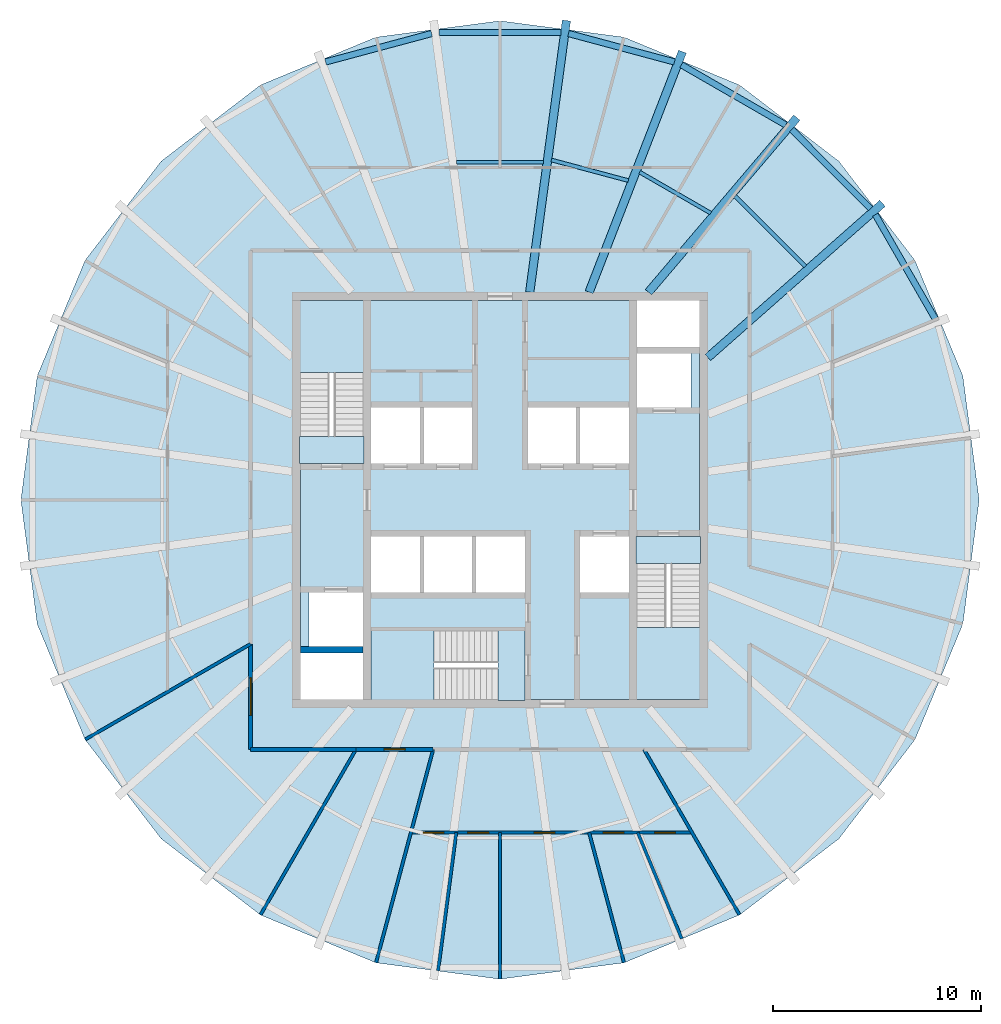
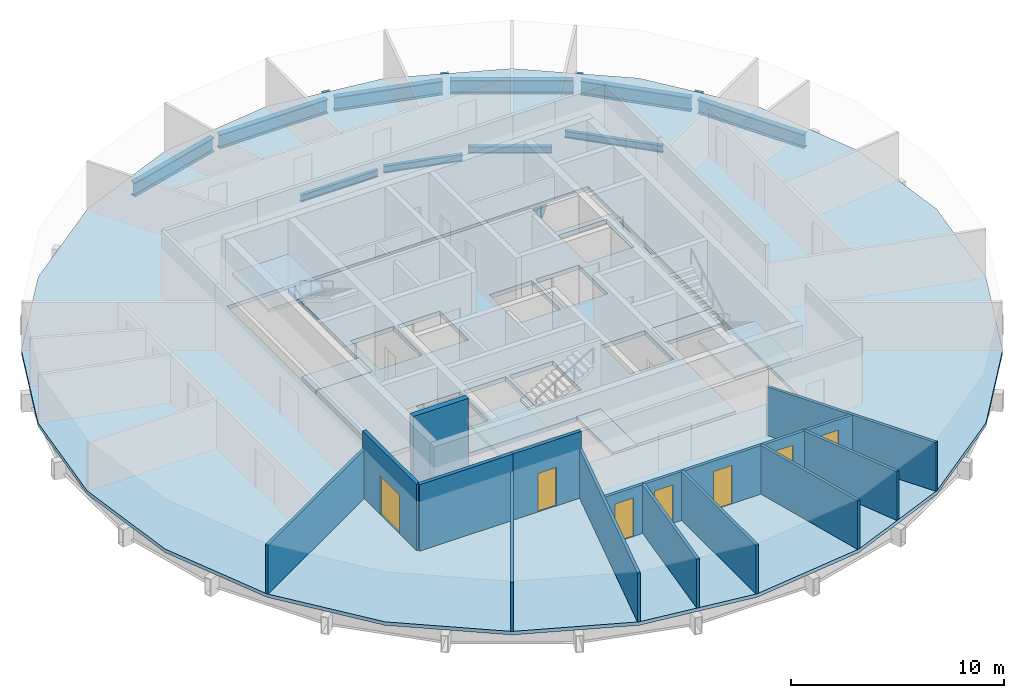
# One storey, part 2 of 6: 14 beams, 13 walls, 8 slabs, 7 doors, 7 openings, 3 elements without a shape of their own.
"""IFC4 building model written with IfcOpenShell, lengths in metres."""

from ifc_helpers import new_model, si_unit, direction, frame, frame_2d, origin, origin_2d, place, context, subcontext, project, spatial, polyline, rectangle, hollow_rectangle, i_section, outline, extrude, material, layer, layer_set, material_profile, profile_set, type_object, element, fill, aggregate, save


model = new_model("IFC4")

# Units and contexts
model_context = context("Model", 3, precision=1e-05, world=origin(), true_north=direction((0.0, 1.0)))
body_context = subcontext(model_context, "Body", "Model", "MODEL_VIEW")
ifc_project = project(units=[si_unit("LENGTHUNIT", "METRE"), si_unit("AREAUNIT", "SQUARE_METRE"), si_unit("VOLUMEUNIT", "CUBIC_METRE"), si_unit("PLANEANGLEUNIT", "RADIAN"), si_unit("MASSUNIT", "GRAM", prefix="KILO")], contexts=[model_context])

# Site, building, storey
site_placement = place(None, origin())
site = spatial("IfcSite", under=ifc_project, at=site_placement, CompositionType="ELEMENT")
building_placement = place(site_placement, origin())
building = spatial("IfcBuilding", under=site, at=building_placement, Name="Golbaran Civic Tower", CompositionType="ELEMENT")
storey_placement = place(building_placement, frame((0.0, 0.0, 224.0)))
storey = spatial("IfcBuildingStorey", under=building, at=storey_placement, Name="L54", CompositionType="ELEMENT", Elevation=224.0)

# Beams
ifc_material_1 = material(Name="Steel S355", Category="steel")
ifc_material_profile_1 = material_profile(ifc_material_1, i_section(OverallWidth=0.300048828125, OverallDepth=0.800048828125, WebThickness=0.017578125, FlangeThickness=0.032958984375, FilletRadius=0.030029296875, at=origin_2d()), Name="HEB 800")
ifc_profile_set_1 = profile_set([ifc_material_profile_1], Name="Steel S355")
beam_type_1 = type_object("IfcBeamType", Name="EDGE BEAM HEB 800", PredefinedType="BEAM", material=ifc_profile_set_1)
beam_1_placement = place(storey_placement, frame((20.94287109375, 8.7109375, -0.60009765625), z_axis=(-0.498739777228, 0.866751772199, 0.0), x_axis=(-0.866751772199, -0.498739777228, 0.0)))
element("IfcBeam", 1, at=beam_1_placement, inside=storey, type_object=beam_type_1, Name="Edge beam 22.12 L54", PredefinedType="BEAM", context=body_context, shape_type="SweptSolid", body=[
    extrude(i_section(OverallWidth=0.300048828125, OverallDepth=0.800048828125, WebThickness=0.017578125, FlangeThickness=0.032958984375, FilletRadius=0.030029296875, at=origin_2d()), origin(), (0.0, 0.0, 1.0), 5.78759765625),
])
beam_2_placement = place(storey_placement, frame((17.837158203125, 14.01416015625, -0.60009765625), z_axis=(-0.706789377825, 0.707424042137, 0.0), x_axis=(-0.707424042137, -0.706789377825, 0.0)))
element("IfcBeam", 2, at=beam_2_placement, inside=storey, type_object=beam_type_1, Name="Edge beam 37.88 L54", PredefinedType="BEAM", context=body_context, shape_type="SweptSolid", body=[
    extrude(i_section(OverallWidth=0.300048828125, OverallDepth=0.800048828125, WebThickness=0.017578125, FlangeThickness=0.032958984375, FilletRadius=0.030029296875, at=origin_2d()), origin(), (0.0, 0.0, 1.0), 5.385498046875),
])
beam_3_placement = place(storey_placement, frame((13.74462890625, 18.043212890625, -0.60009765625), z_axis=(-0.866375593254, 0.499392962919, 0.0), x_axis=(-0.499392962919, -0.866375593254, 0.0)))
element("IfcBeam", 3, at=beam_3_placement, inside=storey, type_object=beam_type_1, Name="Edge beam 52.12 L54", PredefinedType="BEAM", context=body_context, shape_type="SweptSolid", body=[
    extrude(i_section(OverallWidth=0.300048828125, OverallDepth=0.800048828125, WebThickness=0.017578125, FlangeThickness=0.032958984375, FilletRadius=0.030029296875, at=origin_2d()), origin(), (0.0, 0.0, 1.0), 5.795166015625),
])
beam_4_placement = place(storey_placement, frame((8.391357421875, 21.0751953125, -0.60009765625), z_axis=(-0.96580302518, 0.259276910954, 0.0), x_axis=(-0.259276910954, -0.96580302518, 0.0)))
element("IfcBeam", 4, at=beam_4_placement, inside=storey, type_object=beam_type_1, Name="Edge beam 67.88 L54", PredefinedType="BEAM", context=body_context, shape_type="SweptSolid", body=[
    extrude(i_section(OverallWidth=0.300048828125, OverallDepth=0.800048828125, WebThickness=0.017578125, FlangeThickness=0.032958984375, FilletRadius=0.030029296875, at=origin_2d()), origin(), (0.0, 0.0, 1.0), 5.27978515625),
])
beam_5_placement = place(storey_placement, frame((2.935302734375, 22.4912109375, -0.60009765625), z_axis=(-1.0, 0.0, 0.0), x_axis=(0.0, -1.0, 0.0)))
element("IfcBeam", 5, at=beam_5_placement, inside=storey, type_object=beam_type_1, Name="Edge beam 82.12 L54", PredefinedType="BEAM", context=body_context, shape_type="SweptSolid", body=[
    extrude(i_section(OverallWidth=0.300048828125, OverallDepth=0.800048828125, WebThickness=0.017578125, FlangeThickness=0.032958984375, FilletRadius=0.030029296875, at=origin_2d()), origin(), (0.0, 0.0, 1.0), 5.87060546875),
])
beam_6_placement = place(storey_placement, frame((-3.292236328125, 22.444091796875, -0.60009765625), z_axis=(-0.96580302518, -0.259276910954, 0.0), x_axis=(0.259276910954, -0.96580302518, 0.0)))
element("IfcBeam", 6, at=beam_6_placement, inside=storey, type_object=beam_type_1, Name="Edge beam 97.88 L54", PredefinedType="BEAM", context=body_context, shape_type="SweptSolid", body=[
    extrude(i_section(OverallWidth=0.300048828125, OverallDepth=0.800048828125, WebThickness=0.017578125, FlangeThickness=0.032958984375, FilletRadius=0.030029296875, at=origin_2d()), origin(), (0.0, 0.0, 1.0), 5.27978515625),
])
ifc_material_profile_2 = material_profile(ifc_material_1, i_section(OverallWidth=0.179931640625, OverallDepth=0.39990234375, WebThickness=0.008544921875, FlangeThickness=0.013427734375, FilletRadius=0.02099609375, at=origin_2d()), Name="IPE 400")
ifc_profile_set_2 = profile_set([ifc_material_profile_2], Name="Steel S355")
beam_type_2 = type_object("IfcBeamType", Name="FLOOR INFILL BEAM IPE 400", PredefinedType="BEAM", material=ifc_profile_set_2)
beam_7_placement = place(storey_placement, frame((14.68994140625, 11.236572265625, -0.39990234375), z_axis=(-0.707106781187, 0.707106781187, 0.0), x_axis=(-0.707106781187, -0.707106781187, 0.0)))
element("IfcBeam", 7, at=beam_7_placement, inside=storey, type_object=beam_type_2, Name="Infill beam 45.00 L54", PredefinedType="BEAM", context=body_context, shape_type="SweptSolid", body=[
    extrude(i_section(OverallWidth=0.179931640625, OverallDepth=0.39990234375, WebThickness=0.008544921875, FlangeThickness=0.013427734375, FilletRadius=0.02099609375, at=origin_2d()), origin(), (0.0, 0.0, 1.0), 4.78466796875),
])
beam_8_placement = place(storey_placement, frame((10.138427734375, 13.801513671875, -0.39990234375), z_axis=(-0.866038289882, 0.49997767996, 0.0), x_axis=(-0.49997767996, -0.866038289882, 0.0)))
element("IfcBeam", 8, at=beam_8_placement, inside=storey, type_object=beam_type_2, Name="Infill beam 60.00 L54", PredefinedType="BEAM", context=body_context, shape_type="SweptSolid", body=[
    extrude(i_section(OverallWidth=0.179931640625, OverallDepth=0.39990234375, WebThickness=0.008544921875, FlangeThickness=0.013427734375, FilletRadius=0.02099609375, at=origin_2d()), origin(), (0.0, 0.0, 1.0), 3.947021484375),
])
beam_9_placement = place(storey_placement, frame((6.175537109375, 15.36669921875, -0.39990234375), z_axis=(-0.965929020608, 0.258807123448, 0.0), x_axis=(-0.258807123448, -0.965929020608, 0.0)))
element("IfcBeam", 9, at=beam_9_placement, inside=storey, type_object=beam_type_2, Name="Infill beam 75.00 L54", PredefinedType="BEAM", context=body_context, shape_type="SweptSolid", body=[
    extrude(i_section(OverallWidth=0.179931640625, OverallDepth=0.39990234375, WebThickness=0.008544921875, FlangeThickness=0.013427734375, FilletRadius=0.02099609375, at=origin_2d()), origin(), (0.0, 0.0, 1.0), 3.83642578125),
])
beam_10_placement = place(storey_placement, frame((2.091064453125, 16.24560546875, -0.39990234375), z_axis=(-1.0, 0.0, 0.0), x_axis=(0.0, -1.0, 0.0)))
element("IfcBeam", 10, at=beam_10_placement, inside=storey, type_object=beam_type_2, Name="Infill beam 90.00 L54", PredefinedType="BEAM", context=body_context, shape_type="SweptSolid", body=[
    extrude(i_section(OverallWidth=0.179931640625, OverallDepth=0.39990234375, WebThickness=0.008544921875, FlangeThickness=0.013427734375, FilletRadius=0.02099609375, at=origin_2d()), origin(), (0.0, 0.0, 1.0), 4.18212890625),
])
ifc_material_profile_3 = material_profile(ifc_material_1, hollow_rectangle(XDim=0.39990234375, YDim=1.0, WallThickness=0.050048828125, at=origin_2d()), Name="BOX 1000x400x50")
ifc_profile_set_3 = profile_set([ifc_material_profile_3], Name="Steel S355")
beam_type_3 = type_object("IfcBeamType", Name="RADIAL FLOOR BEAM BOX 1000x400x50", PredefinedType="BEAM", material=ifc_profile_set_3)
beam_11_placement = place(storey_placement, frame((10.0, 6.857177734375, -0.7099609375), z_axis=(0.749759023355, 0.661710969304, 0.0), x_axis=(-0.661710969304, 0.749759023355, 0.0)))
element("IfcBeam", 11, at=beam_11_placement, inside=storey, type_object=beam_type_3, Name="Radial beam 37.88 L54", PredefinedType="BEAM", context=body_context, shape_type="SweptSolid", body=[
    extrude(hollow_rectangle(XDim=0.39990234375, YDim=1.0, WallThickness=0.050048828125, at=origin_2d()), origin(), (0.0, 0.0, 1.0), 11.207763671875),
])
beam_12_placement = place(storey_placement, frame((7.142822265625, 10.0, -0.7099609375), z_axis=(0.647723009562, 0.761875910423, 0.0), x_axis=(-0.761875910423, 0.647723009562, 0.0)))
element("IfcBeam", 12, at=beam_12_placement, inside=storey, type_object=beam_type_3, Name="Radial beam 52.12 L54", PredefinedType="BEAM", context=body_context, shape_type="SweptSolid", body=[
    extrude(hollow_rectangle(XDim=0.39990234375, YDim=1.0, WallThickness=0.050048828125, at=origin_2d()), origin(), (0.0, 0.0, 1.0), 11.020751953125),
])
beam_13_placement = place(storey_placement, frame((4.28564453125, 10.0, -0.7099609375), z_axis=(0.361841543131, 0.932239613868, 0.0), x_axis=(-0.932239613868, 0.361841543131, 0.0)))
element("IfcBeam", 13, at=beam_13_placement, inside=storey, type_object=beam_type_3, Name="Radial beam 67.88 L54", PredefinedType="BEAM", context=body_context, shape_type="SweptSolid", body=[
    extrude(hollow_rectangle(XDim=0.39990234375, YDim=1.0, WallThickness=0.050048828125, at=origin_2d()), origin(), (0.0, 0.0, 1.0), 12.412109375),
])
beam_14_placement = place(storey_placement, frame((1.428466796875, 10.0, -0.7099609375), z_axis=(0.133954752894, 0.990987449051, 0.0), x_axis=(-0.990987449051, 0.133954752894, 0.0)))
element("IfcBeam", 14, at=beam_14_placement, inside=storey, type_object=beam_type_3, Name="Radial beam 82.12 L54", PredefinedType="BEAM", context=body_context, shape_type="SweptSolid", body=[
    extrude(hollow_rectangle(XDim=0.39990234375, YDim=1.0, WallThickness=0.050048828125, at=origin_2d()), origin(), (0.0, 0.0, 1.0), 13.186279296875),
])

# Slabs
ifc_material_2 = material(Name="Concrete LC30/33 lightweight on steel deck", Category="concrete")
ifc_layer_1 = layer(ifc_material_2, 0.199951171875, Name="Concrete LC30/33 lightweight on steel deck")
ifc_layer_set_1 = layer_set([ifc_layer_1], Name="Concrete LC30/33 lightweight on steel deck")
slab_type_1 = type_object("IfcSlabType", Name="COMPOSITE FLOOR SLAB 200", PredefinedType="FLOOR", material=ifc_layer_set_1)
slab_1_placement = place(storey_placement, frame((0.0, 0.0, -0.199951171875)))
element("IfcSlab", 15, at=slab_1_placement, inside=storey, type_object=slab_type_1, Name="Floor slab L54", PredefinedType="FLOOR", context=body_context, shape_type="SweptSolid", body=[
    extrude(outline(polyline([(19.96484375, -11.526611328125), (16.30126953125, -16.30126953125), (11.526611328125, -19.96484375), (5.966552734375, -22.267822265625), (0.0, -23.05322265625), (-5.966552734375, -22.267822265625), (-11.526611328125, -19.96484375), (-16.30126953125, -16.30126953125), (-19.96484375, -11.526611328125), (-22.267822265625, -5.966552734375), (-23.05322265625, 0.0), (-22.267822265625, 5.966552734375), (-19.96484375, 11.526611328125), (-16.30126953125, 16.30126953125), (-11.526611328125, 19.96484375), (-5.966552734375, 22.267822265625), (0.0, 23.05322265625), (5.966552734375, 22.267822265625), (11.526611328125, 19.96484375), (16.30126953125, 16.30126953125), (19.96484375, 11.526611328125), (22.267822265625, 5.966552734375), (23.05322265625, 0.0), (22.267822265625, -5.966552734375), (19.96484375, -11.526611328125)]), holes=[polyline([(-9.800048828125, 9.800048828125), (-9.800048828125, -9.800048828125), (9.800048828125, -9.800048828125), (9.800048828125, 9.800048828125), (-9.800048828125, 9.800048828125)])]), origin(), (0.0, 0.0, 1.0), 0.199951171875),
])
ifc_material_3 = material(Name="Concrete C35/45", Category="concrete")
ifc_layer_2 = layer(ifc_material_3, 0.25, Name="Concrete C35/45")
ifc_layer_set_2 = layer_set([ifc_layer_2], Name="Concrete C35/45")
slab_type_2 = type_object("IfcSlabType", Name="CORE FLOOR SLAB 250", PredefinedType="FLOOR", material=ifc_layer_set_2)
slab_2_placement = place(storey_placement, frame((0.0, 0.0, -0.25)))
element("IfcSlab", 16, at=slab_2_placement, inside=storey, type_object=slab_type_2, Name="Core floor slab L54", PredefinedType="FLOOR", context=body_context, shape_type="SweptSolid", body=[
    extrude(outline(polyline([(6.60009765625, -1.75), (6.60009765625, -9.60009765625), (1.199951171875, -9.60009765625), (1.199951171875, -6.300048828125), (-6.199951171875, -6.300048828125), (-6.199951171875, -9.60009765625), (-6.60009765625, -9.60009765625), (-6.60009765625, -7.35009765625), (-9.60009765625, -7.35009765625), (-9.60009765625, 1.75), (-6.60009765625, 1.75), (-6.60009765625, 9.60009765625), (6.60009765625, 9.60009765625), (6.60009765625, 7.35009765625), (9.60009765625, 7.35009765625), (9.60009765625, -1.75), (6.60009765625, -1.75)]), holes=[polyline([(9.199951171875, 7.050048828125), (6.60009765625, 7.050048828125), (6.60009765625, 4.449951171875), (9.199951171875, 4.449951171875), (9.199951171875, 7.050048828125)]), polyline([(6.199951171875, -1.75), (3.85009765625, -1.75), (3.85009765625, -4.449951171875), (6.199951171875, -4.449951171875), (6.199951171875, -1.75)]), polyline([(6.199951171875, 4.449951171875), (3.85009765625, 4.449951171875), (3.85009765625, 1.75), (6.199951171875, 1.75), (6.199951171875, 4.449951171875)]), polyline([(3.64990234375, 4.449951171875), (1.35009765625, 4.449951171875), (1.35009765625, 1.75), (3.64990234375, 1.75), (3.64990234375, 4.449951171875)]), polyline([(1.199951171875, -1.75), (-1.14990234375, -1.75), (-1.14990234375, -4.449951171875), (1.199951171875, -4.449951171875), (1.199951171875, -1.75)]), polyline([(-1.35009765625, 4.449951171875), (-3.64990234375, 4.449951171875), (-3.64990234375, 1.75), (-1.35009765625, 1.75), (-1.35009765625, 4.449951171875)]), polyline([(-1.35009765625, -1.75), (-3.64990234375, -1.75), (-3.64990234375, -4.449951171875), (-1.35009765625, -4.449951171875), (-1.35009765625, -1.75)]), polyline([(-3.85009765625, -1.75), (-6.199951171875, -1.75), (-6.199951171875, -4.449951171875), (-3.85009765625, -4.449951171875), (-3.85009765625, -1.75)]), polyline([(-3.85009765625, 4.449951171875), (-6.199951171875, 4.449951171875), (-6.199951171875, 1.75), (-3.85009765625, 1.75), (-3.85009765625, 4.449951171875)]), polyline([(-6.60009765625, -4.449951171875), (-9.199951171875, -4.449951171875), (-9.199951171875, -7.050048828125), (-6.60009765625, -7.050048828125), (-6.60009765625, -4.449951171875)])]), origin(), (0.0, 0.0, 1.0), 0.25),
])

# Stair, slab
stair_type_1 = type_object("IfcStairType", Name="EXIT STAIR 3000 x 7850, 4000 RISE", PredefinedType="HALF_TURN_STAIR", material=ifc_material_3)
stair_1_placement = place(storey_placement, origin())
stair_1 = element("IfcStair", 17, at=stair_1_placement, inside=storey, type_object=stair_type_1, Name="Stair S1 L54", PredefinedType="HALF_TURN_STAIR")
ifc_layer_3 = layer(ifc_material_3, 0.199951171875, Name="Concrete C35/45")
ifc_layer_set_3 = layer_set([ifc_layer_3], Name="Concrete C35/45")
slab_type_3 = type_object("IfcSlabType", Name="STAIR LANDING 200", PredefinedType="LANDING", material=ifc_layer_set_3)
slab_3_placement = place(storey_placement, frame((0.0, 0.0, 1.800048828125)))
slab_3 = element("IfcSlab", 18, at=slab_3_placement, type_object=slab_type_3, Name="ST30078-40 landing 1", PredefinedType="LANDING", context=body_context, shape_type="SweptSolid", body=[
    extrude(outline(polyline([(-9.64990234375, 6.125), (-9.64990234375, 9.60009765625), (-6.550048828125, 9.60009765625), (-6.550048828125, 6.125), (-9.64990234375, 6.125)])), origin(), (0.0, 0.0, 1.0), 0.199951171875),
])
aggregate(stair_1, [slab_3])

# Slab
slab_4_placement = place(storey_placement, frame((0.0, 0.0, -0.199951171875)))
element("IfcSlab", 19, at=slab_4_placement, inside=storey, type_object=slab_type_3, Name="Stair S1 floor landing L54", PredefinedType="LANDING", context=body_context, shape_type="SweptSolid", body=[
    extrude(outline(polyline([(-9.64990234375, 1.75), (-9.64990234375, 3.054931640625), (-6.550048828125, 3.054931640625), (-6.550048828125, 1.75), (-9.64990234375, 1.75)])), origin(), (0.0, 0.0, 1.0), 0.199951171875),
])

# Stair, slab
stair_2_placement = place(storey_placement, origin())
stair_2 = element("IfcStair", 20, at=stair_2_placement, inside=storey, type_object=stair_type_1, Name="Stair S2 L54", PredefinedType="HALF_TURN_STAIR")
slab_5_placement = place(storey_placement, frame((0.0, 0.0, 1.800048828125)))
slab_5 = element("IfcSlab", 21, at=slab_5_placement, type_object=slab_type_3, Name="ST30078-40 landing 1", PredefinedType="LANDING", context=body_context, shape_type="SweptSolid", body=[
    extrude(outline(polyline([(9.64990234375, -6.125), (9.64990234375, -9.60009765625), (6.550048828125, -9.60009765625), (6.550048828125, -6.125), (9.64990234375, -6.125)])), origin(), (0.0, 0.0, 1.0), 0.199951171875),
])
aggregate(stair_2, [slab_5])

# Slab
slab_6_placement = place(storey_placement, frame((0.0, 0.0, -0.199951171875)))
element("IfcSlab", 22, at=slab_6_placement, inside=storey, type_object=slab_type_3, Name="Stair S2 floor landing L54", PredefinedType="LANDING", context=body_context, shape_type="SweptSolid", body=[
    extrude(outline(polyline([(9.64990234375, -1.75), (9.64990234375, -3.054931640625), (6.550048828125, -3.054931640625), (6.550048828125, -1.75), (9.64990234375, -1.75)])), origin(), (0.0, 0.0, 1.0), 0.199951171875),
])

# Stair, slab
stair_type_2 = type_object("IfcStairType", Name="EXIT STAIR 3300 x 7400, 4000 RISE", PredefinedType="HALF_TURN_STAIR", material=ifc_material_3)
stair_3_placement = place(storey_placement, origin())
stair_3 = element("IfcStair", 23, at=stair_3_placement, inside=storey, type_object=stair_type_2, Name="Stair S3 L54", PredefinedType="HALF_TURN_STAIR")
slab_7_placement = place(storey_placement, frame((0.0, 0.0, 1.800048828125)))
slab_7 = element("IfcSlab", 24, at=slab_7_placement, type_object=slab_type_3, Name="ST33074-40 landing 1", PredefinedType="LANDING", context=body_context, shape_type="SweptSolid", body=[
    extrude(outline(polyline([(-3.175048828125, -9.64990234375), (-6.199951171875, -9.64990234375), (-6.199951171875, -6.25), (-3.175048828125, -6.25), (-3.175048828125, -9.64990234375)])), origin(), (0.0, 0.0, 1.0), 0.199951171875),
])
aggregate(stair_3, [slab_7])

# Slab
slab_8_placement = place(storey_placement, frame((0.0, 0.0, -0.199951171875)))
element("IfcSlab", 25, at=slab_8_placement, inside=storey, type_object=slab_type_3, Name="Stair S3 floor landing L54", PredefinedType="LANDING", context=body_context, shape_type="SweptSolid", body=[
    extrude(outline(polyline([(1.199951171875, -9.64990234375), (-0.10498046875, -9.64990234375), (-0.10498046875, -6.25), (1.199951171875, -6.25), (1.199951171875, -9.64990234375)])), origin(), (0.0, 0.0, 1.0), 0.199951171875),
])

# Wall, opening, door
ifc_material_4 = material(Name="Gypsum board on steel studs, fire-rated", Category="steel")
ifc_layer_4 = layer(ifc_material_4, 0.199951171875, Name="Gypsum board on steel studs, fire-rated")
ifc_layer_set_4 = layer_set([ifc_layer_4], Name="Gypsum board on steel studs, fire-rated")
wall_type_1 = type_object("IfcWallType", Name="CORRIDOR WALL 200", PredefinedType="PARTITIONING", material=ifc_layer_set_4)
wall_1_placement = place(storey_placement, frame((-12.0, -6.92822265625, 0.0), z_axis=(0.0, 0.0, 1.0), x_axis=(0.0, -1.0, 0.0)))
wall_1 = element("IfcWall", 26, at=wall_1_placement, inside=storey, type_object=wall_type_1, Name="Corridor wall L54", PredefinedType="PARTITIONING", context=body_context, shape_type="SweptSolid", body=[
    extrude(rectangle(XDim=5.07177734375, YDim=0.199951171875, at=frame_2d((2.535888671875, 0.0))), origin(), (0.0, 0.0, 1.0), 3.800048828125),
])
opening_1_placement = place(wall_1_placement, frame((1.635986328125, 0.0, 0.0)))
opening_1 = element("IfcOpeningElement", 27, at=opening_1_placement, cuts=wall_1, Name="Opening L54.23", PredefinedType="OPENING", context=body_context, shape_type="SweptSolid", body=[
    extrude(rectangle(XDim=1.800048828125, YDim=2.199951171875, at=frame_2d((0.89990234375, 1.10009765625))), frame((0.0, 0.10986328125, 0.0), z_axis=(0.0, -1.0, 0.0), x_axis=(1.0, 0.0, 0.0)), (0.0, 0.0, 1.0), 0.219970703125),
])
ifc_material_5 = material(Name="Timber door set in steel frame", Category="steel")
door_type_1 = type_object("IfcDoorType", Name="OFFICE DOUBLE DOOR 1800x2200", OperationType="DOUBLE_DOOR_SINGLE_SWING", PredefinedType="DOOR", material=ifc_material_5)
door_1_placement = place(opening_1_placement, origin())
door_1 = element("IfcDoor", 28, at=door_1_placement, inside=storey, type_object=door_type_1, Name="Open Office door L54", OperationType="DOUBLE_DOOR_SINGLE_SWING", OverallHeight=2.199951171875, OverallWidth=1.800048828125, PredefinedType="DOOR", context=body_context, shape_type="SweptSolid", body=[
    extrude(rectangle(XDim=1.800048828125, YDim=2.199951171875, at=frame_2d((0.89990234375, 1.10009765625))), frame((0.0, 0.02490234375, 0.0), z_axis=(0.0, -1.0, 0.0), x_axis=(1.0, 0.0, 0.0)), (0.0, 0.0, 1.0), 0.050048828125),
])
fill(opening_1, door_1)

# Wall
wall_2_placement = place(storey_placement, frame((-12.0, -12.0, 0.0), z_axis=(0.0, 0.0, 1.0), x_axis=(1.0, 0.0, 0.0)))
element("IfcWall", 29, at=wall_2_placement, inside=storey, type_object=wall_type_1, Name="Corridor wall L54", PredefinedType="PARTITIONING", context=body_context, shape_type="SweptSolid", body=[
    extrude(rectangle(XDim=5.07177734375, YDim=0.199951171875, at=frame_2d((2.535888671875, 0.0))), origin(), (0.0, 0.0, 1.0), 3.800048828125),
])

# Wall, opening, door
wall_3_placement = place(storey_placement, frame((-6.92822265625, -12.0, 0.0), z_axis=(0.0, 0.0, 1.0), x_axis=(1.0, 0.0, 0.0)))
wall_3 = element("IfcWall", 30, at=wall_3_placement, inside=storey, type_object=wall_type_1, Name="Corridor wall L54", PredefinedType="PARTITIONING", context=body_context, shape_type="SweptSolid", body=[
    extrude(rectangle(XDim=3.712890625, YDim=0.199951171875, at=frame_2d((1.8564453125, 0.0))), origin(), (0.0, 0.0, 1.0), 3.800048828125),
])
opening_2_placement = place(wall_3_placement, frame((1.3564453125, 0.0, 0.0)))
opening_2 = element("IfcOpeningElement", 31, at=opening_2_placement, cuts=wall_3, Name="Opening L54.24", PredefinedType="OPENING", context=body_context, shape_type="SweptSolid", body=[
    extrude(rectangle(XDim=1.0, YDim=2.199951171875, at=frame_2d((0.5, 1.10009765625))), frame((0.0, 0.10986328125, 0.0), z_axis=(0.0, -1.0, 0.0), x_axis=(1.0, 0.0, 0.0)), (0.0, 0.0, 1.0), 0.219970703125),
])
door_type_2 = type_object("IfcDoorType", Name="OFFICE DOOR 1000x2200", OperationType="SINGLE_SWING_LEFT", PredefinedType="DOOR", material=ifc_material_5)
door_2_placement = place(opening_2_placement, origin())
door_2 = element("IfcDoor", 32, at=door_2_placement, inside=storey, type_object=door_type_2, Name="Meeting Room door L54", OperationType="SINGLE_SWING_LEFT", OverallHeight=2.199951171875, OverallWidth=1.0, PredefinedType="DOOR", context=body_context, shape_type="SweptSolid", body=[
    extrude(rectangle(XDim=1.0, YDim=2.199951171875, at=frame_2d((0.5, 1.10009765625))), frame((0.0, 0.02490234375, 0.0), z_axis=(0.0, -1.0, 0.0), x_axis=(1.0, 0.0, 0.0)), (0.0, 0.0, 1.0), 0.050048828125),
])
fill(opening_2, door_2)

# Walls
ifc_material_6 = material(Name="Gypsum board on steel studs", Category="steel")
ifc_layer_5 = layer(ifc_material_6, 0.14990234375, Name="Gypsum board on steel studs")
ifc_layer_set_5 = layer_set([ifc_layer_5], Name="Gypsum board on steel studs")
wall_type_2 = type_object("IfcWallType", Name="OFFICE PARTITION 150", PredefinedType="PARTITIONING", material=ifc_layer_set_5)
for number, where, z_axis, x_axis, name in (
    (33, (-12.0, -6.92822265625, 0.0), (0.0, 0.0, 1.0), (-0.866021843099, -0.500006167237, 0.0), "Partition 210 L54"),
    (34, (-6.92822265625, -12.0, 0.0), (0.0, 0.0, 1.0), (-0.500006167237, -0.866021843099, 0.0), "Partition 240 L54"),
):
    element("IfcWall", number, at=place(storey_placement, frame(where, z_axis=z_axis, x_axis=x_axis)), inside=storey, type_object=wall_type_2, Name=name, PredefinedType="PARTITIONING", context=body_context, shape_type="SweptSolid", body=[
        extrude(rectangle(XDim=9.18701171875, YDim=0.14990234375, at=frame_2d((4.593505859375, 0.0))), origin(), (0.0, 0.0, 1.0), 2.7900390625),
    ])
wall_4_placement = place(storey_placement, frame((-3.21533203125, -12.0, 0.0), z_axis=(0.0, 0.0, 1.0), x_axis=(-0.258831459304, -0.965922499828, 0.0)))
element("IfcWall", 35, at=wall_4_placement, inside=storey, type_object=wall_type_2, Name="Partition 255 L54", PredefinedType="PARTITIONING", context=body_context, shape_type="SweptSolid", body=[
    extrude(rectangle(XDim=10.619873046875, YDim=0.14990234375, at=frame_2d((5.31005859375, 0.0))), origin(), (0.0, 0.0, 1.0), 2.7900390625),
])
wall_5_placement = place(storey_placement, frame((6.92822265625, -12.0, 0.0), z_axis=(0.0, 0.0, 1.0), x_axis=(0.500006167237, -0.866021843099, 0.0)))
element("IfcWall", 36, at=wall_5_placement, inside=storey, type_object=wall_type_2, Name="Partition 300 L54", PredefinedType="PARTITIONING", context=body_context, shape_type="SweptSolid", body=[
    extrude(rectangle(XDim=9.18701171875, YDim=0.14990234375, at=frame_2d((4.593505859375, 0.0))), origin(), (0.0, 0.0, 1.0), 2.7900390625),
])

# Wall, openings, doors
wall_6_placement = place(storey_placement, frame((-4.287109375, -16.0, 0.0), z_axis=(0.0, 0.0, 1.0), x_axis=(1.0, 0.0, 0.0)))
wall_6 = element("IfcWall", 37, at=wall_6_placement, inside=storey, type_object=wall_type_2, Name="Suite partition L54", PredefinedType="PARTITIONING", context=body_context, shape_type="SweptSolid", body=[
    extrude(rectangle(XDim=13.524658203125, YDim=0.14990234375, at=frame_2d((6.76220703125, 0.0))), origin(), (0.0, 0.0, 1.0), 2.7900390625),
])
opening_3_placement = place(wall_6_placement, frame((0.59033203125, 0.0, 0.0)))
opening_3 = element("IfcOpeningElement", 38, at=opening_3_placement, cuts=wall_6, Name="Opening L54.12", PredefinedType="OPENING", context=body_context, shape_type="SweptSolid", body=[
    extrude(rectangle(XDim=1.0, YDim=2.199951171875, at=frame_2d((0.5, 1.10009765625))), frame((0.0, 0.0849609375, 0.0), z_axis=(0.0, -1.0, 0.0), x_axis=(1.0, 0.0, 0.0)), (0.0, 0.0, 1.0), 0.169921875),
])
opening_4_placement = place(wall_6_placement, frame((2.73388671875, 0.0, 0.0)))
opening_4 = element("IfcOpeningElement", 39, at=opening_4_placement, cuts=wall_6, Name="Opening L54.13", PredefinedType="OPENING", context=body_context, shape_type="SweptSolid", body=[
    extrude(rectangle(XDim=1.0, YDim=2.199951171875, at=frame_2d((0.5, 1.10009765625))), frame((0.0, 0.0849609375, 0.0), z_axis=(0.0, -1.0, 0.0), x_axis=(1.0, 0.0, 0.0)), (0.0, 0.0, 1.0), 0.169921875),
])
opening_5_placement = place(wall_6_placement, frame((5.9306640625, 0.0, 0.0)))
opening_5 = element("IfcOpeningElement", 40, at=opening_5_placement, cuts=wall_6, Name="Opening L54.14", PredefinedType="OPENING", context=body_context, shape_type="SweptSolid", body=[
    extrude(rectangle(XDim=1.0, YDim=2.199951171875, at=frame_2d((0.5, 1.10009765625))), frame((0.0, 0.0849609375, 0.0), z_axis=(0.0, -1.0, 0.0), x_axis=(1.0, 0.0, 0.0)), (0.0, 0.0, 1.0), 0.169921875),
])
opening_6_placement = place(wall_6_placement, frame((9.244384765625, 0.0, 0.0)))
opening_6 = element("IfcOpeningElement", 41, at=opening_6_placement, cuts=wall_6, Name="Opening L54.15", PredefinedType="OPENING", context=body_context, shape_type="SweptSolid", body=[
    extrude(rectangle(XDim=1.0, YDim=2.199951171875, at=frame_2d((0.5, 1.10009765625))), frame((0.0, 0.0849609375, 0.0), z_axis=(0.0, -1.0, 0.0), x_axis=(1.0, 0.0, 0.0)), (0.0, 0.0, 1.0), 0.169921875),
])
opening_7_placement = place(wall_6_placement, frame((11.7197265625, 0.0, 0.0)))
opening_7 = element("IfcOpeningElement", 42, at=opening_7_placement, cuts=wall_6, Name="Opening L54.16", PredefinedType="OPENING", context=body_context, shape_type="SweptSolid", body=[
    extrude(rectangle(XDim=1.0, YDim=2.199951171875, at=frame_2d((0.5, 1.10009765625))), frame((0.0, 0.0849609375, 0.0), z_axis=(0.0, -1.0, 0.0), x_axis=(1.0, 0.0, 0.0)), (0.0, 0.0, 1.0), 0.169921875),
])
door_3_placement = place(opening_3_placement, origin())
door_3 = element("IfcDoor", 43, at=door_3_placement, inside=storey, type_object=door_type_2, Name="Assistants' Office door L54", OperationType="SINGLE_SWING_LEFT", OverallHeight=2.199951171875, OverallWidth=1.0, PredefinedType="DOOR", context=body_context, shape_type="SweptSolid", body=[
    extrude(rectangle(XDim=1.0, YDim=2.199951171875, at=frame_2d((0.5, 1.10009765625))), frame((0.0, 0.02490234375, 0.0), z_axis=(0.0, -1.0, 0.0), x_axis=(1.0, 0.0, 0.0)), (0.0, 0.0, 1.0), 0.050048828125),
])
fill(opening_3, door_3)
door_4_placement = place(opening_4_placement, origin())
door_4 = element("IfcDoor", 44, at=door_4_placement, inside=storey, type_object=door_type_2, Name="Office door L54", OperationType="SINGLE_SWING_LEFT", OverallHeight=2.199951171875, OverallWidth=1.0, PredefinedType="DOOR", context=body_context, shape_type="SweptSolid", body=[
    extrude(rectangle(XDim=1.0, YDim=2.199951171875, at=frame_2d((0.5, 1.10009765625))), frame((0.0, 0.02490234375, 0.0), z_axis=(0.0, -1.0, 0.0), x_axis=(1.0, 0.0, 0.0)), (0.0, 0.0, 1.0), 0.050048828125),
])
fill(opening_4, door_4)
door_5_placement = place(opening_5_placement, origin())
door_5 = element("IfcDoor", 45, at=door_5_placement, inside=storey, type_object=door_type_2, Name="Office door L54", OperationType="SINGLE_SWING_LEFT", OverallHeight=2.199951171875, OverallWidth=1.0, PredefinedType="DOOR", context=body_context, shape_type="SweptSolid", body=[
    extrude(rectangle(XDim=1.0, YDim=2.199951171875, at=frame_2d((0.5, 1.10009765625))), frame((0.0, 0.02490234375, 0.0), z_axis=(0.0, -1.0, 0.0), x_axis=(1.0, 0.0, 0.0)), (0.0, 0.0, 1.0), 0.050048828125),
])
fill(opening_5, door_5)
door_6_placement = place(opening_6_placement, origin())
door_6 = element("IfcDoor", 46, at=door_6_placement, inside=storey, type_object=door_type_2, Name="Office door L54", OperationType="SINGLE_SWING_RIGHT", OverallHeight=2.199951171875, OverallWidth=1.0, PredefinedType="DOOR", context=body_context, shape_type="SweptSolid", body=[
    extrude(rectangle(XDim=1.0, YDim=2.199951171875, at=frame_2d((0.5, 1.10009765625))), frame((0.0, 0.02490234375, 0.0), z_axis=(0.0, -1.0, 0.0), x_axis=(1.0, 0.0, 0.0)), (0.0, 0.0, 1.0), 0.050048828125),
])
fill(opening_6, door_6)
door_7_placement = place(opening_7_placement, origin())
door_7 = element("IfcDoor", 47, at=door_7_placement, inside=storey, type_object=door_type_2, Name="Assistants' Office door L54", OperationType="SINGLE_SWING_RIGHT", OverallHeight=2.199951171875, OverallWidth=1.0, PredefinedType="DOOR", context=body_context, shape_type="SweptSolid", body=[
    extrude(rectangle(XDim=1.0, YDim=2.199951171875, at=frame_2d((0.5, 1.10009765625))), frame((0.0, 0.02490234375, 0.0), z_axis=(0.0, -1.0, 0.0), x_axis=(1.0, 0.0, 0.0)), (0.0, 0.0, 1.0), 0.050048828125),
])
fill(opening_7, door_7)

# Walls
wall_7_placement = place(storey_placement, frame((-2.1064453125, -16.0, 0.0), z_axis=(0.0, 0.0, 1.0), x_axis=(-0.130513825159, -0.99144648945, 0.0)))
element("IfcWall", 48, at=wall_7_placement, inside=storey, type_object=wall_type_2, Name="Partition 262.5 L54", PredefinedType="PARTITIONING", context=body_context, shape_type="SweptSolid", body=[
    extrude(rectangle(XDim=6.7080078125, YDim=0.14990234375, at=frame_2d((3.35400390625, 0.0))), origin(), (0.0, 0.0, 1.0), 2.7900390625),
])
wall_8_placement = place(storey_placement, frame((0.0, -16.0, 0.0), z_axis=(0.0, 0.0, 1.0), x_axis=(0.0, -1.0, 0.0)))
element("IfcWall", 49, at=wall_8_placement, inside=storey, type_object=wall_type_2, Name="Partition 270 L54", PredefinedType="PARTITIONING", context=body_context, shape_type="SweptSolid", body=[
    extrude(rectangle(XDim=7.043212890625, YDim=0.14990234375, at=frame_2d((3.521484375, 0.0))), origin(), (0.0, 0.0, 1.0), 2.7900390625),
])
wall_9_placement = place(storey_placement, frame((4.287109375, -16.0, 0.0), z_axis=(0.0, 0.0, 1.0), x_axis=(0.258842191576, -0.965919623913, 0.0)))
element("IfcWall", 50, at=wall_9_placement, inside=storey, type_object=wall_type_2, Name="Partition 285 L54", PredefinedType="PARTITIONING", context=body_context, shape_type="SweptSolid", body=[
    extrude(rectangle(XDim=6.478759765625, YDim=0.14990234375, at=frame_2d((3.2392578125, 0.0))), origin(), (0.0, 0.0, 1.0), 2.7900390625),
])
wall_10_placement = place(storey_placement, frame((6.62744140625, -16.0, 0.0), z_axis=(0.0, 0.0, 1.0), x_axis=(0.382701553975, -0.923872026087, 0.0)))
element("IfcWall", 51, at=wall_10_placement, inside=storey, type_object=wall_type_2, Name="Partition 292.5 L54", PredefinedType="PARTITIONING", context=body_context, shape_type="SweptSolid", body=[
    extrude(rectangle(XDim=5.52783203125, YDim=0.14990234375, at=frame_2d((2.763916015625, 0.0))), origin(), (0.0, 0.0, 1.0), 2.7900390625),
])
ifc_material_7 = material(Name="Concrete C50/60", Category="concrete")
ifc_layer_6 = layer(ifc_material_7, 0.300048828125, Name="Concrete C50/60")
ifc_layer_set_6 = layer_set([ifc_layer_6], Name="Concrete C50/60")
wall_type_3 = type_object("IfcWallType", Name="SHAFT WALL CONCRETE 300", PredefinedType="SOLIDWALL", material=ifc_layer_set_6)
wall_11_placement = place(storey_placement, frame((-9.60009765625, -7.199951171875, 0.0), z_axis=(0.0, 0.0, 1.0), x_axis=(1.0, 0.0, 0.0)))
element("IfcWall", 52, at=wall_11_placement, inside=storey, type_object=wall_type_3, Name="Core wall XW3 L54", PredefinedType="SOLIDWALL", context=body_context, shape_type="SweptSolid", body=[
    extrude(rectangle(XDim=3.0, YDim=0.300048828125, at=frame_2d((1.5, 0.0))), origin(), (0.0, 0.0, 1.0), 4.0),
])

save(model, "model.ifc")
